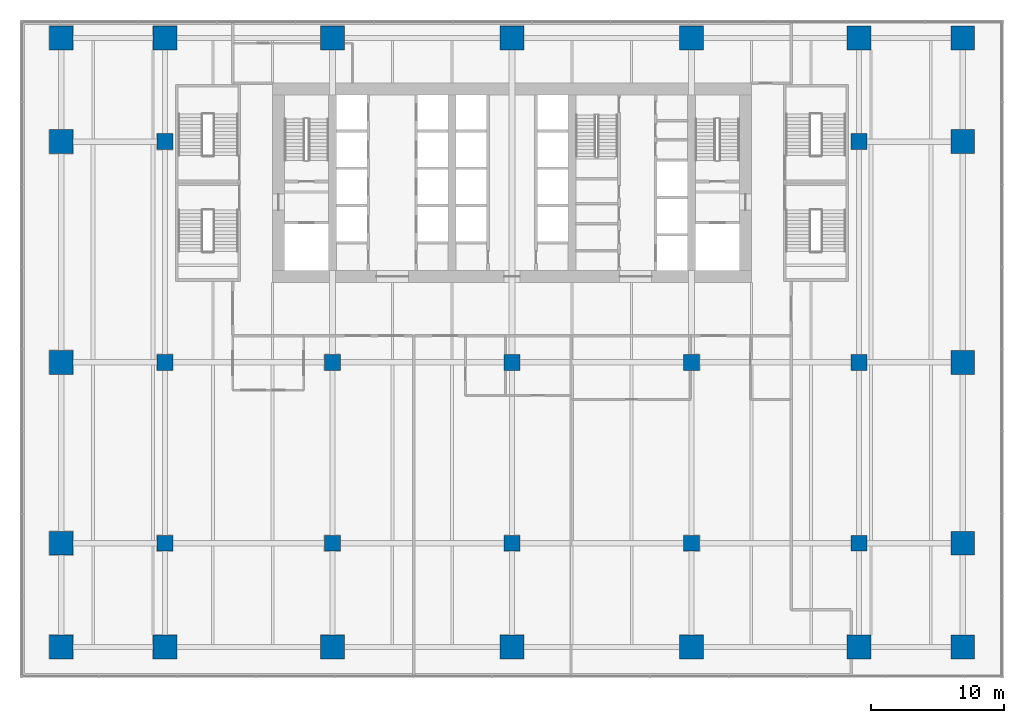
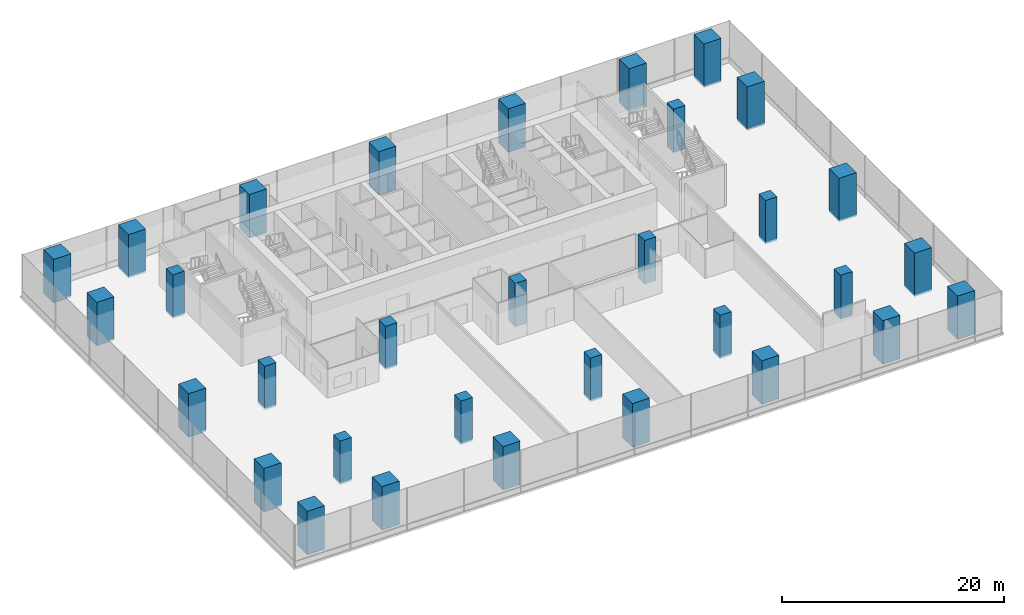
# One storey, part 1 of 28: 32 columns.
"""IFC4 building model written with IfcOpenShell, lengths in metres."""

import ifcopenshell
import ifcopenshell.guid

model = None  # the IFC model being written
_history = None  # IfcOwnerHistory: only IFC2X3 demands one
_inside = {}  # id of a spatial element -> (the spatial element, [elements in it])
_under = {}  # id of a project, library or spatial element -> (it, [spatial elements below it])
_declared = {}  # id of a project -> (the project, [libraries it declares])
_typed = {}  # id of a type object -> (the type object, [elements of that type])
_made_of = {}  # id of a material, layer set ... -> (it, [elements and type objects made of it])


def new_model(schema):
    """Start an empty IFC model of exactly this schema.

    Asked for "IFC4X3", IfcOpenShell would pick the latest addendum, in which some entities
    have other attributes; the version numbers below select the first issue.
    IFC2X3 requires an IfcOwnerHistory on every rooted entity: one is made here for all.
    """
    global model, _history
    if schema == "IFC4X3":
        model = ifcopenshell.file(schema_version=(4, 3, 0, 0))
    else:
        model = ifcopenshell.file(schema=schema)
    _inside.clear()
    _under.clear()
    _declared.clear()
    _typed.clear()
    _made_of.clear()
    _history = None
    if model.schema == "IFC2X3":
        org = make("IfcOrganization", Name="unknown")
        user = make(
            "IfcPersonAndOrganization",
            ThePerson=make("IfcPerson", FamilyName="unknown"),
            TheOrganization=org,
        )
        app = make(
            "IfcApplication",
            ApplicationDeveloper=org,
            Version="unknown",
            ApplicationFullName="unknown",
            ApplicationIdentifier="unknown",
        )
        _history = make(
            "IfcOwnerHistory",
            OwningUser=user,
            OwningApplication=app,
            ChangeAction="ADDED",
            CreationDate=0,
        )
    return model


def make(cls, **values):
    """One entity of the class cls with the attributes given. An attribute that is None is left unset."""
    return model.create_entity(
        cls, **{name: value for name, value in values.items() if value is not None}
    )


def rooted(cls, **values):
    """An entity with a GlobalId (a new one), such as an element, a storey or a relation."""
    return make(cls, GlobalId=ifcopenshell.guid.new(), OwnerHistory=_history, **values)


def si_unit(unit_type, name, prefix=None):
    """IfcSIUnit, for example si_unit("LENGTHUNIT", "METRE", prefix="MILLI")."""
    return make("IfcSIUnit", UnitType=unit_type, Prefix=prefix, Name=name)


def assignment(units):
    """IfcUnitAssignment: the units of a project."""
    return None if units is None else make("IfcUnitAssignment", Units=units)


def point(xyz):
    """IfcCartesianPoint."""
    return None if xyz is None else make("IfcCartesianPoint", Coordinates=xyz)


def direction(xyz):
    """IfcDirection."""
    return None if xyz is None else make("IfcDirection", DirectionRatios=xyz)


def frame(location, z_axis=None, x_axis=None):
    """IfcAxis2Placement3D, a coordinate frame: its origin and axes. An axis left out is left unset."""
    return make(
        "IfcAxis2Placement3D",
        Location=point(location),
        Axis=direction(z_axis),
        RefDirection=direction(x_axis),
    )


def frame_2d(location, x_axis=None):
    """IfcAxis2Placement2D, a coordinate frame in the plane: its origin and x axis."""
    return make(
        "IfcAxis2Placement2D", Location=point(location), RefDirection=direction(x_axis)
    )


def origin():
    """The frame at (0, 0, 0) with its axes left unset."""
    return frame((0.0, 0.0, 0.0))


def origin_2d():
    """The frame at (0, 0) in the plane with its x axis left unset."""
    return frame_2d((0.0, 0.0))


def place(relative_to, where):
    """IfcLocalPlacement: puts the frame where relative to a parent placement (None: the world)."""
    return make(
        "IfcLocalPlacement", PlacementRelTo=relative_to, RelativePlacement=where
    )


def context(
    kind, dimensions, precision=None, world=None, true_north=None, identifier=None
):
    """IfcGeometricRepresentationContext, for example the 3D "Model" context."""
    return make(
        "IfcGeometricRepresentationContext",
        ContextIdentifier=identifier,
        ContextType=kind,
        CoordinateSpaceDimension=dimensions,
        Precision=precision,
        WorldCoordinateSystem=world,
        TrueNorth=true_north,
    )


def subcontext(parent, identifier, kind, view, scale=None):
    """IfcGeometricRepresentationSubContext, for example "Body" below "Model"."""
    return make(
        "IfcGeometricRepresentationSubContext",
        ContextIdentifier=identifier,
        ContextType=kind,
        ParentContext=parent,
        TargetScale=scale,
        TargetView=view,
    )


def project(units=None, contexts=None):
    """IfcProject with its units and contexts."""
    return rooted(
        "IfcProject",
        Name="project",
        RepresentationContexts=contexts,
        UnitsInContext=assignment(units),
    )


def spatial(cls, under=None, at=None, **own):
    """A site, building, storey or space (cls), placed at a placement, below another one or the project."""
    s = rooted(cls, ObjectPlacement=at, **own)
    if under is not None:
        _under.setdefault(under.id(), (under, []))[1].append(s)
    return s


def profile(cls, at=None, kind="AREA", **sizes):
    """A parametric profile (cls). Its sizes go by their IFC names, for example OverallWidth=200.0."""
    return make(cls, ProfileType=kind, Position=at, **sizes)


def rectangle(**sizes):
    """IfcRectangleProfileDef."""
    return profile("IfcRectangleProfileDef", **sizes)


def extrude(swept, where, along, depth):
    """IfcExtrudedAreaSolid: the profile swept, set in the frame where, extruded along a direction by depth."""
    return make(
        "IfcExtrudedAreaSolid",
        SweptArea=swept,
        Position=where,
        ExtrudedDirection=direction(along),
        Depth=depth,
    )


def shape(context_of_items, identifier, shape_type, items):
    """IfcShapeRepresentation: the items that make up one representation, for example the "Body"."""
    return make(
        "IfcShapeRepresentation",
        ContextOfItems=context_of_items,
        RepresentationIdentifier=identifier,
        RepresentationType=shape_type,
        Items=items,
    )


def material(Name=None, Category=None):
    """IfcMaterial."""
    return make("IfcMaterial", Name=Name, Category=Category)


def material_profile(
    of_material, cross_section, Name=None, Category=None, Priority=None
):
    """IfcMaterialProfile: a cross section and its material."""
    return make(
        "IfcMaterialProfile",
        Name=Name,
        Material=of_material,
        Profile=cross_section,
        Priority=Priority,
        Category=Category,
    )


def profile_set(profiles, Name=None, composite=None):
    """IfcMaterialProfileSet."""
    return make(
        "IfcMaterialProfileSet",
        Name=Name,
        MaterialProfiles=profiles,
        CompositeProfile=composite,
    )


def made_of(thing, what):
    """Note that an element or type object is made of a material, layer set ...; save() writes the relation."""
    if what is not None:
        _made_of.setdefault(what.id(), (what, []))[1].append(thing)
    return thing


def type_object(cls, material=None, **own):
    """A type object (cls), such as IfcWallType, which elements share."""
    return made_of(rooted(cls, **own), material)


def element(
    cls,
    number,
    at=None,
    inside=None,
    cuts=None,
    type_object=None,
    material=None,
    context=None,
    identifier="Body",
    shape_type=None,
    held_by="IfcProductDefinitionShape",
    body=None,
    shapes=None,
    **own,
):
    """One element of the class cls, such as IfcWall. Its Tag is "e" and its number.

    at: its placement. inside: the storey or other place that contains it. cuts: it is an
    opening in that element (IfcRelVoidsElement). A single representation is given by context,
    identifier, shape_type and body (its items); several are given by shapes. held_by: the class
    of the entity that holds the representations. save() writes the other relations.
    """
    e = rooted(cls, Tag="e%d" % number, ObjectPlacement=at, **own)
    if body is not None:
        shapes = [shape(context, identifier, shape_type, body)]
    if shapes is not None:
        e.Representation = make(held_by, Representations=shapes)
    if inside is not None:
        _inside.setdefault(inside.id(), (inside, []))[1].append(e)
    if cuts is not None:
        rooted(
            "IfcRelVoidsElement", RelatingBuildingElement=cuts, RelatedOpeningElement=e
        )
    if type_object is not None:
        _typed.setdefault(type_object.id(), (type_object, []))[1].append(e)
    return made_of(e, material)


def aggregate(whole, parts):
    """IfcRelAggregates: a whole, such as a stair, and the parts it consists of."""
    return rooted("IfcRelAggregates", RelatingObject=whole, RelatedObjects=parts)


def save(model, path):
    """Write the relations noted so far, then the file.

    IfcRelAggregates (storeys below a building ...), IfcRelContainedInSpatialStructure (elements
    in a storey), IfcRelDefinesByType, IfcRelAssociatesMaterial and IfcRelDeclares: one each for
    every whole, place, type object, material and project.
    """
    for whole, parts in _under.values():
        aggregate(whole, parts)
    for where, things in _inside.values():
        rooted(
            "IfcRelContainedInSpatialStructure",
            RelatedElements=things,
            RelatingStructure=where,
        )
    for kind, things in _typed.values():
        rooted("IfcRelDefinesByType", RelatedObjects=things, RelatingType=kind)
    for what, things in _made_of.values():
        rooted("IfcRelAssociatesMaterial", RelatedObjects=things, RelatingMaterial=what)
    for by, libraries in _declared.values():
        rooted("IfcRelDeclares", RelatingContext=by, RelatedDefinitions=libraries)
    model.write(path)


model = new_model("IFC4")

# Units and contexts
model_context = context("Model", 3, precision=1e-05, world=origin(), true_north=direction((0.0, 1.0)))
body_context = subcontext(model_context, "Body", "Model", "MODEL_VIEW")
ifc_project = project(units=[si_unit("LENGTHUNIT", "METRE"), si_unit("AREAUNIT", "SQUARE_METRE"), si_unit("VOLUMEUNIT", "CUBIC_METRE"), si_unit("PLANEANGLEUNIT", "RADIAN"), si_unit("MASSUNIT", "GRAM", prefix="KILO")], contexts=[model_context])

# Site, building, storey
site_placement = place(None, origin())
site = spatial("IfcSite", under=ifc_project, at=site_placement, CompositionType="ELEMENT")
building_placement = place(site_placement, origin())
building = spatial("IfcBuilding", under=site, at=building_placement, Name="Rattan Terrace Tower", CompositionType="ELEMENT")
storey_placement = place(building_placement, frame((0.0, 0.0, 22.199951171875)))
storey = spatial("IfcBuildingStorey", under=building, at=storey_placement, Name="L04", CompositionType="ELEMENT", Elevation=22.199951171875)

# Columns
ifc_material_1 = material(Name="Concrete C60/75", Category="concrete")
ifc_material_profile_1 = material_profile(ifc_material_1, rectangle(XDim=1.800048828125, YDim=1.800048828125, at=origin_2d()), Name="CFT 1800x1800")
ifc_profile_set_1 = profile_set([ifc_material_profile_1], Name="Concrete C60/75")
column_type_1 = type_object("IfcColumnType", Name="Frame exoskeleton column CFT 1800x1800", PredefinedType="COLUMN", material=ifc_profile_set_1)
for number, where, z_axis, x_axis, name in (
    (1, (-33.89990234375, -34.89990234375, -0.199951171875), (0.0, 0.0, 1.0), (1.0, 0.0, 0.0), "exo-L04-001"),
    (2, (33.89990234375, -34.89990234375, -0.199951171875), (0.0, 0.0, 1.0), (1.0, 0.0, 0.0), "exo-L04-002"),
    (3, (-33.89990234375, 10.89990234375, -0.199951171875), (0.0, 0.0, 1.0), (1.0, 0.0, 0.0), "exo-L04-003"),
    (4, (33.89990234375, 10.89990234375, -0.199951171875), (0.0, 0.0, 1.0), (1.0, 0.0, 0.0), "exo-L04-004"),
    (5, (-26.10009765625, -34.89990234375, -0.199951171875), (0.0, 0.0, 1.0), (1.0, 0.0, 0.0), "exo-L04-005"),
    (6, (-13.5, -34.89990234375, -0.199951171875), (0.0, 0.0, 1.0), (1.0, 0.0, 0.0), "exo-L04-006"),
    (7, (0.0, -34.89990234375, -0.199951171875), (0.0, 0.0, 1.0), (1.0, 0.0, 0.0), "exo-L04-007"),
    (8, (13.5, -34.89990234375, -0.199951171875), (0.0, 0.0, 1.0), (1.0, 0.0, 0.0), "exo-L04-008"),
    (9, (26.10009765625, -34.89990234375, -0.199951171875), (0.0, 0.0, 1.0), (1.0, 0.0, 0.0), "exo-L04-009"),
    (10, (-33.89990234375, -27.10009765625, -0.199951171875), (0.0, 0.0, 1.0), (0.0, 1.0, 0.0), "exo-L04-010"),
    (11, (33.89990234375, -27.10009765625, -0.199951171875), (0.0, 0.0, 1.0), (0.0, 1.0, 0.0), "exo-L04-011"),
    (12, (-33.89990234375, -13.5, -0.199951171875), (0.0, 0.0, 1.0), (0.0, 1.0, 0.0), "exo-L04-012"),
    (13, (33.89990234375, -13.5, -0.199951171875), (0.0, 0.0, 1.0), (0.0, 1.0, 0.0), "exo-L04-013"),
    (14, (-33.89990234375, 3.10009765625, -0.199951171875), (0.0, 0.0, 1.0), (0.0, 1.0, 0.0), "exo-L04-014"),
    (15, (33.89990234375, 3.10009765625, -0.199951171875), (0.0, 0.0, 1.0), (0.0, 1.0, 0.0), "exo-L04-015"),
    (16, (-26.10009765625, 10.89990234375, -0.199951171875), (0.0, 0.0, 1.0), (1.0, 0.0, 0.0), "exo-L04-016"),
    (17, (-13.5, 10.89990234375, -0.199951171875), (0.0, 0.0, 1.0), (1.0, 0.0, 0.0), "exo-L04-017"),
    (18, (0.0, 10.89990234375, -0.199951171875), (0.0, 0.0, 1.0), (1.0, 0.0, 0.0), "exo-L04-018"),
    (19, (13.5, 10.89990234375, -0.199951171875), (0.0, 0.0, 1.0), (1.0, 0.0, 0.0), "exo-L04-019"),
    (20, (26.10009765625, 10.89990234375, -0.199951171875), (0.0, 0.0, 1.0), (1.0, 0.0, 0.0), "exo-L04-020"),
):
    element("IfcColumn", number, at=place(storey_placement, frame(where, z_axis=z_axis, x_axis=x_axis)), inside=storey, type_object=column_type_1, Name=name, PredefinedType="COLUMN", context=body_context, shape_type="SweptSolid", body=[
        extrude(rectangle(XDim=1.800048828125, YDim=1.800048828125, at=origin_2d()), origin(), (0.0, 0.0, 1.0), 4.800048828125),
    ])
ifc_material_2 = material(Name="Concrete C60/75", Category="concrete")
ifc_material_profile_2 = material_profile(ifc_material_2, rectangle(XDim=1.199951171875, YDim=1.199951171875, at=origin_2d()), Name="RC 1200x1200")
ifc_profile_set_2 = profile_set([ifc_material_profile_2], Name="Concrete C60/75")
column_type_2 = type_object("IfcColumnType", Name="Frame interior column RC 1200x1200", PredefinedType="COLUMN", material=ifc_profile_set_2)
for number, where, z_axis, x_axis, name in (
    (21, (-26.10009765625, -27.10009765625, -0.199951171875), (0.0, 0.0, 1.0), (1.0, 0.0, 0.0), "col-L04-001"),
    (22, (-13.5, -27.10009765625, -0.199951171875), (0.0, 0.0, 1.0), (1.0, 0.0, 0.0), "col-L04-002"),
    (23, (0.0, -27.10009765625, -0.199951171875), (0.0, 0.0, 1.0), (1.0, 0.0, 0.0), "col-L04-003"),
    (24, (13.5, -27.10009765625, -0.199951171875), (0.0, 0.0, 1.0), (1.0, 0.0, 0.0), "col-L04-004"),
    (25, (26.10009765625, -27.10009765625, -0.199951171875), (0.0, 0.0, 1.0), (1.0, 0.0, 0.0), "col-L04-005"),
    (26, (-26.10009765625, -13.5, -0.199951171875), (0.0, 0.0, 1.0), (1.0, 0.0, 0.0), "col-L04-006"),
    (27, (-13.5, -13.5, -0.199951171875), (0.0, 0.0, 1.0), (1.0, 0.0, 0.0), "col-L04-007"),
    (28, (0.0, -13.5, -0.199951171875), (0.0, 0.0, 1.0), (1.0, 0.0, 0.0), "col-L04-008"),
    (29, (13.5, -13.5, -0.199951171875), (0.0, 0.0, 1.0), (1.0, 0.0, 0.0), "col-L04-009"),
    (30, (26.10009765625, -13.5, -0.199951171875), (0.0, 0.0, 1.0), (1.0, 0.0, 0.0), "col-L04-010"),
    (31, (-26.10009765625, 3.10009765625, -0.199951171875), (0.0, 0.0, 1.0), (1.0, 0.0, 0.0), "col-L04-011"),
    (32, (26.10009765625, 3.10009765625, -0.199951171875), (0.0, 0.0, 1.0), (1.0, 0.0, 0.0), "col-L04-012"),
):
    element("IfcColumn", number, at=place(storey_placement, frame(where, z_axis=z_axis, x_axis=x_axis)), inside=storey, type_object=column_type_2, Name=name, PredefinedType="COLUMN", context=body_context, shape_type="SweptSolid", body=[
        extrude(rectangle(XDim=1.199951171875, YDim=1.199951171875, at=origin_2d()), origin(), (0.0, 0.0, 1.0), 4.800048828125),
    ])

save(model, "model.ifc")
